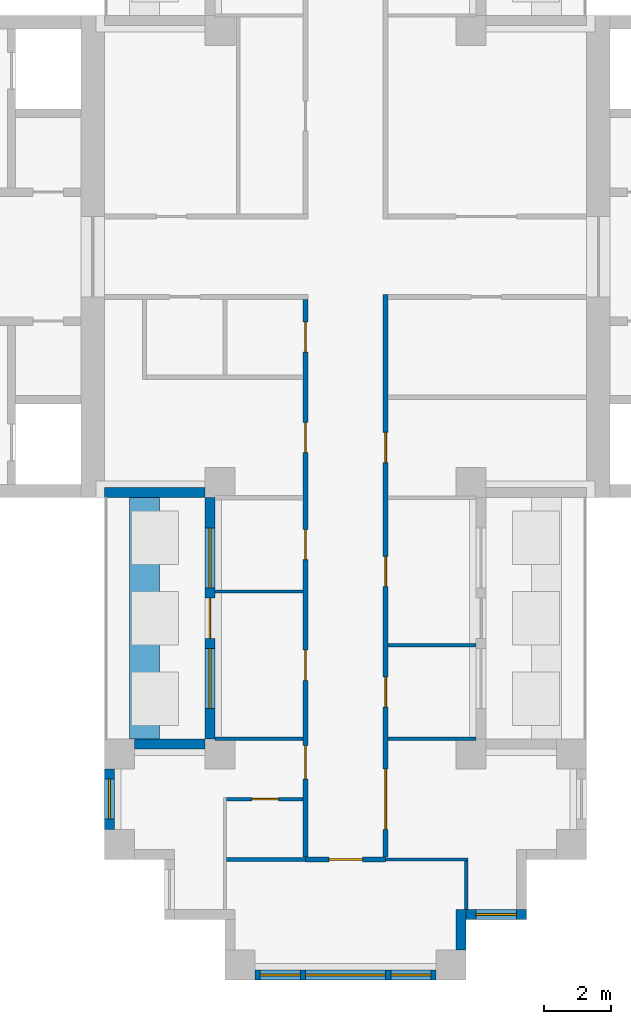
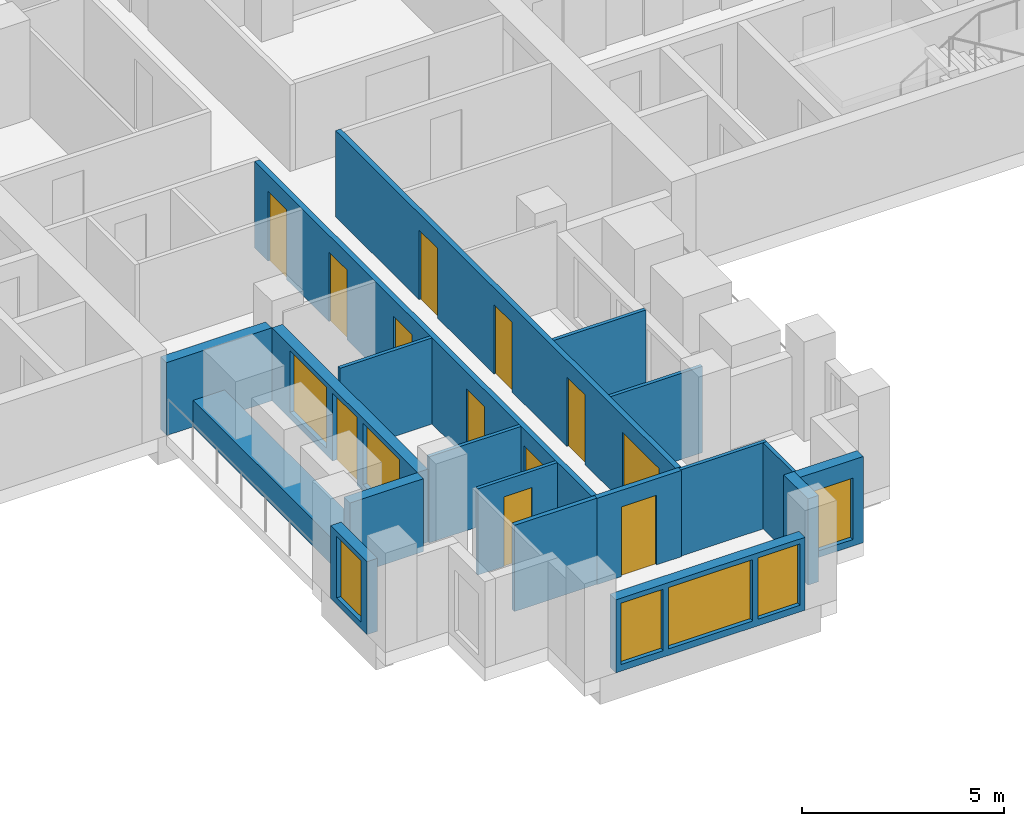
# One storey, part 4 of 11: 19 walls, 12 doors, 7 windows, 19 openings.
"""IFC4 building model written with IfcOpenShell, lengths in metres."""

import ifcopenshell
import ifcopenshell.guid

model = None  # the IFC model being written
_history = None  # IfcOwnerHistory: only IFC2X3 demands one
_inside = {}  # id of a spatial element -> (the spatial element, [elements in it])
_under = {}  # id of a project, library or spatial element -> (it, [spatial elements below it])
_declared = {}  # id of a project -> (the project, [libraries it declares])
_typed = {}  # id of a type object -> (the type object, [elements of that type])
_made_of = {}  # id of a material, layer set ... -> (it, [elements and type objects made of it])


def new_model(schema):
    """Start an empty IFC model of exactly this schema.

    Asked for "IFC4X3", IfcOpenShell would pick the latest addendum, in which some entities
    have other attributes; the version numbers below select the first issue.
    IFC2X3 requires an IfcOwnerHistory on every rooted entity: one is made here for all.
    """
    global model, _history
    if schema == "IFC4X3":
        model = ifcopenshell.file(schema_version=(4, 3, 0, 0))
    else:
        model = ifcopenshell.file(schema=schema)
    _inside.clear()
    _under.clear()
    _declared.clear()
    _typed.clear()
    _made_of.clear()
    _history = None
    if model.schema == "IFC2X3":
        org = make("IfcOrganization", Name="unknown")
        user = make(
            "IfcPersonAndOrganization",
            ThePerson=make("IfcPerson", FamilyName="unknown"),
            TheOrganization=org,
        )
        app = make(
            "IfcApplication",
            ApplicationDeveloper=org,
            Version="unknown",
            ApplicationFullName="unknown",
            ApplicationIdentifier="unknown",
        )
        _history = make(
            "IfcOwnerHistory",
            OwningUser=user,
            OwningApplication=app,
            ChangeAction="ADDED",
            CreationDate=0,
        )
    return model


def make(cls, **values):
    """One entity of the class cls with the attributes given. An attribute that is None is left unset."""
    return model.create_entity(
        cls, **{name: value for name, value in values.items() if value is not None}
    )


def rooted(cls, **values):
    """An entity with a GlobalId (a new one), such as an element, a storey or a relation."""
    return make(cls, GlobalId=ifcopenshell.guid.new(), OwnerHistory=_history, **values)


def si_unit(unit_type, name, prefix=None):
    """IfcSIUnit, for example si_unit("LENGTHUNIT", "METRE", prefix="MILLI")."""
    return make("IfcSIUnit", UnitType=unit_type, Prefix=prefix, Name=name)


def assignment(units):
    """IfcUnitAssignment: the units of a project."""
    return None if units is None else make("IfcUnitAssignment", Units=units)


def point(xyz):
    """IfcCartesianPoint."""
    return None if xyz is None else make("IfcCartesianPoint", Coordinates=xyz)


def direction(xyz):
    """IfcDirection."""
    return None if xyz is None else make("IfcDirection", DirectionRatios=xyz)


def frame(location, z_axis=None, x_axis=None):
    """IfcAxis2Placement3D, a coordinate frame: its origin and axes. An axis left out is left unset."""
    return make(
        "IfcAxis2Placement3D",
        Location=point(location),
        Axis=direction(z_axis),
        RefDirection=direction(x_axis),
    )


def frame_2d(location, x_axis=None):
    """IfcAxis2Placement2D, a coordinate frame in the plane: its origin and x axis."""
    return make(
        "IfcAxis2Placement2D", Location=point(location), RefDirection=direction(x_axis)
    )


def origin():
    """The frame at (0, 0, 0) with its axes left unset."""
    return frame((0.0, 0.0, 0.0))


def place(relative_to, where):
    """IfcLocalPlacement: puts the frame where relative to a parent placement (None: the world)."""
    return make(
        "IfcLocalPlacement", PlacementRelTo=relative_to, RelativePlacement=where
    )


def context(
    kind, dimensions, precision=None, world=None, true_north=None, identifier=None
):
    """IfcGeometricRepresentationContext, for example the 3D "Model" context."""
    return make(
        "IfcGeometricRepresentationContext",
        ContextIdentifier=identifier,
        ContextType=kind,
        CoordinateSpaceDimension=dimensions,
        Precision=precision,
        WorldCoordinateSystem=world,
        TrueNorth=true_north,
    )


def subcontext(parent, identifier, kind, view, scale=None):
    """IfcGeometricRepresentationSubContext, for example "Body" below "Model"."""
    return make(
        "IfcGeometricRepresentationSubContext",
        ContextIdentifier=identifier,
        ContextType=kind,
        ParentContext=parent,
        TargetScale=scale,
        TargetView=view,
    )


def project(units=None, contexts=None):
    """IfcProject with its units and contexts."""
    return rooted(
        "IfcProject",
        Name="project",
        RepresentationContexts=contexts,
        UnitsInContext=assignment(units),
    )


def spatial(cls, under=None, at=None, **own):
    """A site, building, storey or space (cls), placed at a placement, below another one or the project."""
    s = rooted(cls, ObjectPlacement=at, **own)
    if under is not None:
        _under.setdefault(under.id(), (under, []))[1].append(s)
    return s


def profile(cls, at=None, kind="AREA", **sizes):
    """A parametric profile (cls). Its sizes go by their IFC names, for example OverallWidth=200.0."""
    return make(cls, ProfileType=kind, Position=at, **sizes)


def rectangle(**sizes):
    """IfcRectangleProfileDef."""
    return profile("IfcRectangleProfileDef", **sizes)


def extrude(swept, where, along, depth):
    """IfcExtrudedAreaSolid: the profile swept, set in the frame where, extruded along a direction by depth."""
    return make(
        "IfcExtrudedAreaSolid",
        SweptArea=swept,
        Position=where,
        ExtrudedDirection=direction(along),
        Depth=depth,
    )


def shape(context_of_items, identifier, shape_type, items):
    """IfcShapeRepresentation: the items that make up one representation, for example the "Body"."""
    return make(
        "IfcShapeRepresentation",
        ContextOfItems=context_of_items,
        RepresentationIdentifier=identifier,
        RepresentationType=shape_type,
        Items=items,
    )


def material(Name=None, Category=None):
    """IfcMaterial."""
    return make("IfcMaterial", Name=Name, Category=Category)


def layer(
    of_material, thickness, ventilated=None, Name=None, Category=None, Priority=None
):
    """IfcMaterialLayer: one layer of a wall or slab, of a material (None: an air gap)."""
    return make(
        "IfcMaterialLayer",
        Material=of_material,
        LayerThickness=thickness,
        IsVentilated=ventilated,
        Name=Name,
        Category=Category,
        Priority=Priority,
    )


def layer_set(layers, Name=None):
    """IfcMaterialLayerSet."""
    return make("IfcMaterialLayerSet", MaterialLayers=layers, LayerSetName=Name)


def made_of(thing, what):
    """Note that an element or type object is made of a material, layer set ...; save() writes the relation."""
    if what is not None:
        _made_of.setdefault(what.id(), (what, []))[1].append(thing)
    return thing


def type_object(cls, material=None, **own):
    """A type object (cls), such as IfcWallType, which elements share."""
    return made_of(rooted(cls, **own), material)


def element(
    cls,
    number,
    at=None,
    inside=None,
    cuts=None,
    type_object=None,
    material=None,
    context=None,
    identifier="Body",
    shape_type=None,
    held_by="IfcProductDefinitionShape",
    body=None,
    shapes=None,
    **own,
):
    """One element of the class cls, such as IfcWall. Its Tag is "e" and its number.

    at: its placement. inside: the storey or other place that contains it. cuts: it is an
    opening in that element (IfcRelVoidsElement). A single representation is given by context,
    identifier, shape_type and body (its items); several are given by shapes. held_by: the class
    of the entity that holds the representations. save() writes the other relations.
    """
    e = rooted(cls, Tag="e%d" % number, ObjectPlacement=at, **own)
    if body is not None:
        shapes = [shape(context, identifier, shape_type, body)]
    if shapes is not None:
        e.Representation = make(held_by, Representations=shapes)
    if inside is not None:
        _inside.setdefault(inside.id(), (inside, []))[1].append(e)
    if cuts is not None:
        rooted(
            "IfcRelVoidsElement", RelatingBuildingElement=cuts, RelatedOpeningElement=e
        )
    if type_object is not None:
        _typed.setdefault(type_object.id(), (type_object, []))[1].append(e)
    return made_of(e, material)


def fill(opening, filler):
    """IfcRelFillsElement: the door or window that sits in an opening."""
    return rooted(
        "IfcRelFillsElement",
        RelatingOpeningElement=opening,
        RelatedBuildingElement=filler,
    )


def aggregate(whole, parts):
    """IfcRelAggregates: a whole, such as a stair, and the parts it consists of."""
    return rooted("IfcRelAggregates", RelatingObject=whole, RelatedObjects=parts)


def save(model, path):
    """Write the relations noted so far, then the file.

    IfcRelAggregates (storeys below a building ...), IfcRelContainedInSpatialStructure (elements
    in a storey), IfcRelDefinesByType, IfcRelAssociatesMaterial and IfcRelDeclares: one each for
    every whole, place, type object, material and project.
    """
    for whole, parts in _under.values():
        aggregate(whole, parts)
    for where, things in _inside.values():
        rooted(
            "IfcRelContainedInSpatialStructure",
            RelatedElements=things,
            RelatingStructure=where,
        )
    for kind, things in _typed.values():
        rooted("IfcRelDefinesByType", RelatedObjects=things, RelatingType=kind)
    for what, things in _made_of.values():
        rooted("IfcRelAssociatesMaterial", RelatedObjects=things, RelatingMaterial=what)
    for by, libraries in _declared.values():
        rooted("IfcRelDeclares", RelatingContext=by, RelatedDefinitions=libraries)
    model.write(path)


model = new_model("IFC4")

# Units and contexts
model_context = context("Model", 3, precision=1e-05, world=origin(), true_north=direction((0.0, 1.0)))
body_context = subcontext(model_context, "Body", "Model", "MODEL_VIEW")
ifc_project = project(units=[si_unit("LENGTHUNIT", "METRE"), si_unit("AREAUNIT", "SQUARE_METRE"), si_unit("VOLUMEUNIT", "CUBIC_METRE"), si_unit("PLANEANGLEUNIT", "RADIAN"), si_unit("MASSUNIT", "GRAM", prefix="KILO")], contexts=[model_context])

# Site, building, storey
site_placement = place(None, origin())
site = spatial("IfcSite", under=ifc_project, at=site_placement, CompositionType="ELEMENT")
building_placement = place(site_placement, origin())
building = spatial("IfcBuilding", under=site, at=building_placement, Name="Fustian Cross Tower", CompositionType="ELEMENT")
storey_placement = place(building_placement, frame((0.0, 0.0, 173.699951171875)))
storey = spatial("IfcBuildingStorey", under=building, at=storey_placement, Name="L54", CompositionType="ELEMENT", Elevation=173.699951171875)

# Wall, openings, doors
ifc_material_1 = material(Name="Plasterboard on steel stud", Category="steel")
ifc_layer_1 = layer(ifc_material_1, 0.14990234375)
ifc_layer_set_1 = layer_set([ifc_layer_1], Name="Plasterboard on steel stud")
wall_type_1 = type_object("IfcWallType", Name="COMPARTMENT WALL 150 EI 60", PredefinedType="PARTITIONING", material=ifc_layer_set_1)
wall_1_placement = place(storey_placement, frame((-1.199951171875, -17.925048828125, 0.0), z_axis=(0.0, 0.0, 1.0), x_axis=(0.0, 1.0, 0.0)))
wall_1 = element("IfcWall", 1, at=wall_1_placement, inside=storey, type_object=wall_type_1, Name="Partition 30", PredefinedType="PARTITIONING", context=body_context, shape_type="SweptSolid", body=[
    extrude(rectangle(XDim=16.650146484375, YDim=0.14990234375, at=frame_2d((8.3251953125, 0.0))), origin(), (0.0, 0.0, 1.0), 2.60009765625),
])
opening_1_placement = place(wall_1_placement, frame((15.074951171875, 0.0, 0.0)))
opening_1 = element("IfcOpeningElement", 2, at=opening_1_placement, cuts=wall_1, Name="Opening D25006", PredefinedType="OPENING", context=body_context, shape_type="SweptSolid", body=[
    extrude(rectangle(XDim=0.89990234375, YDim=2.10009765625, at=frame_2d((0.449951171875, 1.050048828125))), frame((0.0, 0.0849609375, 0.0), z_axis=(0.0, -1.0, 0.0), x_axis=(1.0, 0.0, 0.0)), (0.0, 0.0, 1.0), 0.169921875),
])
opening_2_placement = place(wall_1_placement, frame((12.074951171875, 0.0, 0.0)))
opening_2 = element("IfcOpeningElement", 3, at=opening_2_placement, cuts=wall_1, Name="Opening D25008", PredefinedType="OPENING", context=body_context, shape_type="SweptSolid", body=[
    extrude(rectangle(XDim=0.89990234375, YDim=2.10009765625, at=frame_2d((0.449951171875, 1.050048828125))), frame((0.0, 0.0849609375, 0.0), z_axis=(0.0, -1.0, 0.0), x_axis=(1.0, 0.0, 0.0)), (0.0, 0.0, 1.0), 0.169921875),
])
opening_3_placement = place(wall_1_placement, frame((8.875, 0.0, 0.0)))
opening_3 = element("IfcOpeningElement", 4, at=opening_3_placement, cuts=wall_1, Name="Opening D25035", PredefinedType="OPENING", context=body_context, shape_type="SweptSolid", body=[
    extrude(rectangle(XDim=0.89990234375, YDim=2.10009765625, at=frame_2d((0.449951171875, 1.050048828125))), frame((0.0, 0.0849609375, 0.0), z_axis=(0.0, -1.0, 0.0), x_axis=(1.0, 0.0, 0.0)), (0.0, 0.0, 1.0), 0.169921875),
])
opening_4_placement = place(wall_1_placement, frame((5.27490234375, 0.0, 0.0)))
opening_4 = element("IfcOpeningElement", 5, at=opening_4_placement, cuts=wall_1, Name="Opening D25036", PredefinedType="OPENING", context=body_context, shape_type="SweptSolid", body=[
    extrude(rectangle(XDim=0.89990234375, YDim=2.10009765625, at=frame_2d((0.449951171875, 1.050048828125))), frame((0.0, 0.0849609375, 0.0), z_axis=(0.0, -1.0, 0.0), x_axis=(1.0, 0.0, 0.0)), (0.0, 0.0, 1.0), 0.169921875),
])
opening_5_placement = place(wall_1_placement, frame((2.324951171875, 0.0, 0.0)))
opening_5 = element("IfcOpeningElement", 6, at=opening_5_placement, cuts=wall_1, Name="Opening D25038", PredefinedType="OPENING", context=body_context, shape_type="SweptSolid", body=[
    extrude(rectangle(XDim=1.0, YDim=2.10009765625, at=frame_2d((0.5, 1.050048828125))), frame((0.0, 0.0849609375, 0.0), z_axis=(0.0, -1.0, 0.0), x_axis=(1.0, 0.0, 0.0)), (0.0, 0.0, 1.0), 0.169921875),
])
ifc_material_2 = material(Name="Timber fire door set", Category="wood")
door_type_1 = type_object("IfcDoorType", Name="FIRE SWING DOOR 1000 FD30S", OperationType="SINGLE_SWING_LEFT", PredefinedType="DOOR", material=ifc_material_2)
door_1_placement = place(opening_5_placement, origin())
door_1 = element("IfcDoor", 7, at=door_1_placement, inside=storey, type_object=door_type_1, Name="Door D25038", OperationType="SINGLE_SWING_RIGHT", OverallHeight=2.10009765625, OverallWidth=1.0, PredefinedType="DOOR", context=body_context, shape_type="SweptSolid", body=[
    extrude(rectangle(XDim=1.0, YDim=2.10009765625, at=frame_2d((0.5, 1.050048828125))), frame((0.0, 0.02490234375, 0.0), z_axis=(0.0, -1.0, 0.0), x_axis=(1.0, 0.0, 0.0)), (0.0, 0.0, 1.0), 0.050048828125),
])
fill(opening_5, door_1)
ifc_material_3 = material(Name="Timber fire door set", Category="wood")
door_type_2 = type_object("IfcDoorType", Name="FIRE SWING DOOR 900 FD30S", OperationType="SINGLE_SWING_LEFT", PredefinedType="DOOR", material=ifc_material_3)
door_2_placement = place(opening_1_placement, origin())
door_2 = element("IfcDoor", 8, at=door_2_placement, inside=storey, type_object=door_type_2, Name="Door D25006", OperationType="SINGLE_SWING_LEFT", OverallHeight=2.10009765625, OverallWidth=0.89990234375, PredefinedType="DOOR", context=body_context, shape_type="SweptSolid", body=[
    extrude(rectangle(XDim=0.89990234375, YDim=2.10009765625, at=frame_2d((0.449951171875, 1.050048828125))), frame((0.0, 0.02490234375, 0.0), z_axis=(0.0, -1.0, 0.0), x_axis=(1.0, 0.0, 0.0)), (0.0, 0.0, 1.0), 0.050048828125),
])
fill(opening_1, door_2)
door_3_placement = place(opening_2_placement, origin())
door_3 = element("IfcDoor", 9, at=door_3_placement, inside=storey, type_object=door_type_2, Name="Door D25008", OperationType="SINGLE_SWING_LEFT", OverallHeight=2.10009765625, OverallWidth=0.89990234375, PredefinedType="DOOR", context=body_context, shape_type="SweptSolid", body=[
    extrude(rectangle(XDim=0.89990234375, YDim=2.10009765625, at=frame_2d((0.449951171875, 1.050048828125))), frame((0.0, 0.02490234375, 0.0), z_axis=(0.0, -1.0, 0.0), x_axis=(1.0, 0.0, 0.0)), (0.0, 0.0, 1.0), 0.050048828125),
])
fill(opening_2, door_3)
door_4_placement = place(opening_3_placement, origin())
door_4 = element("IfcDoor", 10, at=door_4_placement, inside=storey, type_object=door_type_2, Name="Door D25035", OperationType="SINGLE_SWING_LEFT", OverallHeight=2.10009765625, OverallWidth=0.89990234375, PredefinedType="DOOR", context=body_context, shape_type="SweptSolid", body=[
    extrude(rectangle(XDim=0.89990234375, YDim=2.10009765625, at=frame_2d((0.449951171875, 1.050048828125))), frame((0.0, 0.02490234375, 0.0), z_axis=(0.0, -1.0, 0.0), x_axis=(1.0, 0.0, 0.0)), (0.0, 0.0, 1.0), 0.050048828125),
])
fill(opening_3, door_4)
door_5_placement = place(opening_4_placement, origin())
door_5 = element("IfcDoor", 11, at=door_5_placement, inside=storey, type_object=door_type_2, Name="Door D25036", OperationType="SINGLE_SWING_LEFT", OverallHeight=2.10009765625, OverallWidth=0.89990234375, PredefinedType="DOOR", context=body_context, shape_type="SweptSolid", body=[
    extrude(rectangle(XDim=0.89990234375, YDim=2.10009765625, at=frame_2d((0.449951171875, 1.050048828125))), frame((0.0, 0.02490234375, 0.0), z_axis=(0.0, -1.0, 0.0), x_axis=(1.0, 0.0, 0.0)), (0.0, 0.0, 1.0), 0.050048828125),
])
fill(opening_4, door_5)

# Wall, opening, door
wall_2_placement = place(storey_placement, frame((-1.199951171875, -18.0, 0.0), z_axis=(0.0, 0.0, 1.0), x_axis=(1.0, 0.0, 0.0)))
wall_2 = element("IfcWall", 12, at=wall_2_placement, inside=storey, type_object=wall_type_1, Name="Partition 31", PredefinedType="PARTITIONING", context=body_context, shape_type="SweptSolid", body=[
    extrude(rectangle(XDim=2.39990234375, YDim=0.14990234375, at=frame_2d((1.199951171875, 0.0))), origin(), (0.0, 0.0, 1.0), 2.60009765625),
])
opening_6_placement = place(wall_2_placement, frame((0.699951171875, 0.0, 0.0)))
opening_6 = element("IfcOpeningElement", 13, at=opening_6_placement, cuts=wall_2, Name="Opening D25031", PredefinedType="OPENING", context=body_context, shape_type="SweptSolid", body=[
    extrude(rectangle(XDim=1.0, YDim=2.10009765625, at=frame_2d((0.5, 1.050048828125))), frame((0.0, 0.0849609375, 0.0), z_axis=(0.0, -1.0, 0.0), x_axis=(1.0, 0.0, 0.0)), (0.0, 0.0, 1.0), 0.169921875),
])
door_6_placement = place(opening_6_placement, frame((1.0, 0.0, 0.0), z_axis=(0.0, 0.0, 1.0), x_axis=(-1.0, 0.0, 0.0)))
door_6 = element("IfcDoor", 14, at=door_6_placement, inside=storey, type_object=door_type_1, Name="Door D25031", OperationType="SINGLE_SWING_RIGHT", OverallHeight=2.10009765625, OverallWidth=1.0, PredefinedType="DOOR", context=body_context, shape_type="SweptSolid", body=[
    extrude(rectangle(XDim=1.0, YDim=2.10009765625, at=frame_2d((0.5, 1.050048828125))), frame((0.0, 0.02490234375, 0.0), z_axis=(0.0, -1.0, 0.0), x_axis=(1.0, 0.0, 0.0)), (0.0, 0.0, 1.0), 0.050048828125),
])
fill(opening_6, door_6)

# Wall, openings, doors
wall_3_placement = place(storey_placement, frame((1.199951171875, -17.925048828125, 0.0), z_axis=(0.0, 0.0, 1.0), x_axis=(0.0, 1.0, 0.0)))
wall_3 = element("IfcWall", 15, at=wall_3_placement, inside=storey, type_object=wall_type_1, Name="Partition 34", PredefinedType="PARTITIONING", context=body_context, shape_type="SweptSolid", body=[
    extrude(rectangle(XDim=16.800048828125, YDim=0.14990234375, at=frame_2d((8.39990234375, 0.0))), origin(), (0.0, 0.0, 1.0), 2.60009765625),
])
opening_7_placement = place(wall_3_placement, frame((11.77490234375, 0.0, 0.0)))
opening_7 = element("IfcOpeningElement", 16, at=opening_7_placement, cuts=wall_3, Name="Opening D25005", PredefinedType="OPENING", context=body_context, shape_type="SweptSolid", body=[
    extrude(rectangle(XDim=0.89990234375, YDim=2.10009765625, at=frame_2d((0.449951171875, 1.050048828125))), frame((0.0, 0.0849609375, 0.0), z_axis=(0.0, -1.0, 0.0), x_axis=(1.0, 0.0, 0.0)), (0.0, 0.0, 1.0), 0.169921875),
])
opening_8_placement = place(wall_3_placement, frame((4.47509765625, 0.0, 0.0)))
opening_8 = element("IfcOpeningElement", 17, at=opening_8_placement, cuts=wall_3, Name="Opening D25032", PredefinedType="OPENING", context=body_context, shape_type="SweptSolid", body=[
    extrude(rectangle(XDim=0.89990234375, YDim=2.10009765625, at=frame_2d((0.449951171875, 1.050048828125))), frame((0.0, 0.0849609375, 0.0), z_axis=(0.0, -1.0, 0.0), x_axis=(1.0, 0.0, 0.0)), (0.0, 0.0, 1.0), 0.169921875),
])
opening_9_placement = place(wall_3_placement, frame((8.074951171875, 0.0, 0.0)))
opening_9 = element("IfcOpeningElement", 18, at=opening_9_placement, cuts=wall_3, Name="Opening D25033", PredefinedType="OPENING", context=body_context, shape_type="SweptSolid", body=[
    extrude(rectangle(XDim=0.89990234375, YDim=2.10009765625, at=frame_2d((0.449951171875, 1.050048828125))), frame((0.0, 0.0849609375, 0.0), z_axis=(0.0, -1.0, 0.0), x_axis=(1.0, 0.0, 0.0)), (0.0, 0.0, 1.0), 0.169921875),
])
opening_10_placement = place(wall_3_placement, frame((0.824951171875, 0.0, 0.0)))
opening_10 = element("IfcOpeningElement", 19, at=opening_10_placement, cuts=wall_3, Name="Opening D25034", PredefinedType="OPENING", context=body_context, shape_type="SweptSolid", body=[
    extrude(rectangle(XDim=1.800048828125, YDim=2.10009765625, at=frame_2d((0.89990234375, 1.050048828125))), frame((0.0, 0.0849609375, 0.0), z_axis=(0.0, -1.0, 0.0), x_axis=(1.0, 0.0, 0.0)), (0.0, 0.0, 1.0), 0.169921875),
])
ifc_material_4 = material(Name="Timber fire door set", Category="wood")
door_type_3 = type_object("IfcDoorType", Name="FIRE DOUBLE DOOR 1800 FD30S", OperationType="DOUBLE_DOOR_DOUBLE_SWING", PredefinedType="DOOR", material=ifc_material_4)
door_7_placement = place(opening_10_placement, origin())
door_7 = element("IfcDoor", 20, at=door_7_placement, inside=storey, type_object=door_type_3, Name="Door D25034", OperationType="DOUBLE_DOOR_DOUBLE_SWING", OverallHeight=2.10009765625, OverallWidth=1.800048828125, PredefinedType="DOOR", context=body_context, shape_type="SweptSolid", body=[
    extrude(rectangle(XDim=1.800048828125, YDim=2.10009765625, at=frame_2d((0.89990234375, 1.050048828125))), frame((0.0, 0.02490234375, 0.0), z_axis=(0.0, -1.0, 0.0), x_axis=(1.0, 0.0, 0.0)), (0.0, 0.0, 1.0), 0.050048828125),
])
fill(opening_10, door_7)
door_8_placement = place(opening_7_placement, frame((0.89990234375, 0.0, 0.0), z_axis=(0.0, 0.0, 1.0), x_axis=(-1.0, 0.0, 0.0)))
door_8 = element("IfcDoor", 21, at=door_8_placement, inside=storey, type_object=door_type_2, Name="Door D25005", OperationType="SINGLE_SWING_LEFT", OverallHeight=2.10009765625, OverallWidth=0.89990234375, PredefinedType="DOOR", context=body_context, shape_type="SweptSolid", body=[
    extrude(rectangle(XDim=0.89990234375, YDim=2.10009765625, at=frame_2d((0.449951171875, 1.050048828125))), frame((0.0, 0.02490234375, 0.0), z_axis=(0.0, -1.0, 0.0), x_axis=(1.0, 0.0, 0.0)), (0.0, 0.0, 1.0), 0.050048828125),
])
fill(opening_7, door_8)
door_9_placement = place(opening_8_placement, frame((0.89990234375, 0.0, 0.0), z_axis=(0.0, 0.0, 1.0), x_axis=(-1.0, 0.0, 0.0)))
door_9 = element("IfcDoor", 22, at=door_9_placement, inside=storey, type_object=door_type_2, Name="Door D25032", OperationType="SINGLE_SWING_RIGHT", OverallHeight=2.10009765625, OverallWidth=0.89990234375, PredefinedType="DOOR", context=body_context, shape_type="SweptSolid", body=[
    extrude(rectangle(XDim=0.89990234375, YDim=2.10009765625, at=frame_2d((0.449951171875, 1.050048828125))), frame((0.0, 0.02490234375, 0.0), z_axis=(0.0, -1.0, 0.0), x_axis=(1.0, 0.0, 0.0)), (0.0, 0.0, 1.0), 0.050048828125),
])
fill(opening_8, door_9)
door_10_placement = place(opening_9_placement, frame((0.89990234375, 0.0, 0.0), z_axis=(0.0, 0.0, 1.0), x_axis=(-1.0, 0.0, 0.0)))
door_10 = element("IfcDoor", 23, at=door_10_placement, inside=storey, type_object=door_type_2, Name="Door D25033", OperationType="SINGLE_SWING_RIGHT", OverallHeight=2.10009765625, OverallWidth=0.89990234375, PredefinedType="DOOR", context=body_context, shape_type="SweptSolid", body=[
    extrude(rectangle(XDim=0.89990234375, YDim=2.10009765625, at=frame_2d((0.449951171875, 1.050048828125))), frame((0.0, 0.02490234375, 0.0), z_axis=(0.0, -1.0, 0.0), x_axis=(1.0, 0.0, 0.0)), (0.0, 0.0, 1.0), 0.050048828125),
])
fill(opening_9, door_10)

# Walls
ifc_material_5 = material(Name="Plasterboard on steel stud", Category="steel")
ifc_layer_2 = layer(ifc_material_5, 0.10009765625)
ifc_layer_set_2 = layer_set([ifc_layer_2], Name="Plasterboard on steel stud")
wall_type_2 = type_object("IfcWallType", Name="PARTITION 100 STUD", PredefinedType="PARTITIONING", material=ifc_layer_set_2)
for number, where, z_axis, x_axis, name in (
    (24, (-3.89990234375, -14.39990234375, 0.0), (0.0, 0.0, 1.0), (1.0, 0.0, 0.0), "Partition 17"),
    (25, (-3.89990234375, -10.0, 0.0), (0.0, 0.0, 1.0), (1.0, 0.0, 0.0), "Partition 18"),
):
    element("IfcWall", number, at=place(storey_placement, frame(where, z_axis=z_axis, x_axis=x_axis)), inside=storey, type_object=wall_type_2, Name=name, PredefinedType="PARTITIONING", context=body_context, shape_type="SweptSolid", body=[
        extrude(rectangle(XDim=2.625, YDim=0.10009765625, at=frame_2d((1.3125, 0.0))), origin(), (0.0, 0.0, 1.0), 2.60009765625),
    ])

# Wall, opening, door
wall_4_placement = place(storey_placement, frame((-3.550048828125, -16.199951171875, 0.0), z_axis=(0.0, 0.0, 1.0), x_axis=(1.0, 0.0, 0.0)))
wall_4 = element("IfcWall", 26, at=wall_4_placement, inside=storey, type_object=wall_type_2, Name="Partition 24", PredefinedType="PARTITIONING", context=body_context, shape_type="SweptSolid", body=[
    extrude(rectangle(XDim=2.275146484375, YDim=0.10009765625, at=frame_2d((1.1376953125, 0.0))), origin(), (0.0, 0.0, 1.0), 2.60009765625),
])
opening_11_placement = place(wall_4_placement, frame((0.75, 0.0, 0.0)))
opening_11 = element("IfcOpeningElement", 27, at=opening_11_placement, cuts=wall_4, Name="Opening D25037", PredefinedType="OPENING", context=body_context, shape_type="SweptSolid", body=[
    extrude(rectangle(XDim=0.800048828125, YDim=2.10009765625, at=frame_2d((0.39990234375, 1.050048828125))), frame((0.0, 0.06005859375, 0.0), z_axis=(0.0, -1.0, 0.0), x_axis=(1.0, 0.0, 0.0)), (0.0, 0.0, 1.0), 0.1201171875),
])
ifc_material_6 = material(Name="Painted timber", Category="wood")
door_type_4 = type_object("IfcDoorType", Name="SWING DOOR 800", OperationType="SINGLE_SWING_LEFT", PredefinedType="DOOR", material=ifc_material_6)
door_11_placement = place(opening_11_placement, frame((0.800048828125, 0.0, 0.0), z_axis=(0.0, 0.0, 1.0), x_axis=(-1.0, 0.0, 0.0)))
door_11 = element("IfcDoor", 28, at=door_11_placement, inside=storey, type_object=door_type_4, Name="Door D25037", OperationType="SINGLE_SWING_RIGHT", OverallHeight=2.10009765625, OverallWidth=0.800048828125, PredefinedType="DOOR", context=body_context, shape_type="SweptSolid", body=[
    extrude(rectangle(XDim=0.800048828125, YDim=2.10009765625, at=frame_2d((0.39990234375, 1.050048828125))), frame((0.0, 0.02490234375, 0.0), z_axis=(0.0, -1.0, 0.0), x_axis=(1.0, 0.0, 0.0)), (0.0, 0.0, 1.0), 0.050048828125),
])
fill(opening_11, door_11)

# Walls
wall_5_placement = place(storey_placement, frame((1.199951171875, -18.0, 0.0), z_axis=(0.0, 0.0, 1.0), x_axis=(1.0, 0.0, 0.0)))
element("IfcWall", 29, at=wall_5_placement, inside=storey, type_object=wall_type_2, Name="Partition 35", PredefinedType="PARTITIONING", context=body_context, shape_type="SweptSolid", body=[
    extrude(rectangle(XDim=2.449951171875, YDim=0.10009765625, at=frame_2d((1.22509765625, 0.0))), origin(), (0.0, 0.0, 1.0), 2.60009765625),
])
for number, where, z_axis, x_axis, name in (
    (30, (1.27490234375, -14.39990234375, 0.0), (0.0, 0.0, 1.0), (1.0, 0.0, 0.0), "Partition 36"),
    (31, (1.27490234375, -11.60009765625, 0.0), (0.0, 0.0, 1.0), (1.0, 0.0, 0.0), "Partition 37"),
):
    element("IfcWall", number, at=place(storey_placement, frame(where, z_axis=z_axis, x_axis=x_axis)), inside=storey, type_object=wall_type_2, Name=name, PredefinedType="PARTITIONING", context=body_context, shape_type="SweptSolid", body=[
        extrude(rectangle(XDim=2.625, YDim=0.10009765625, at=frame_2d((1.3125, 0.0))), origin(), (0.0, 0.0, 1.0), 2.60009765625),
    ])
wall_6_placement = place(storey_placement, frame((3.60009765625, -19.5, 0.0), z_axis=(0.0, 0.0, 1.0), x_axis=(0.0, 1.0, 0.0)))
element("IfcWall", 32, at=wall_6_placement, inside=storey, type_object=wall_type_2, Name="Partition 48", PredefinedType="PARTITIONING", context=body_context, shape_type="SweptSolid", body=[
    extrude(rectangle(XDim=1.449951171875, YDim=0.10009765625, at=frame_2d((0.72509765625, 0.0))), origin(), (0.0, 0.0, 1.0), 2.60009765625),
])
ifc_material_7 = material(Name="Concrete C40/50", Category="concrete")
ifc_layer_3 = layer(ifc_material_7, 0.89990234375)
ifc_layer_set_3 = layer_set([ifc_layer_3], Name="Concrete C40/50")
wall_type_3 = type_object("IfcWallType", Name="PK1 PLANTER 900", PredefinedType="PARAPET", material=ifc_layer_set_3)
wall_7_placement = place(storey_placement, frame((-6.0, -14.39990234375, 0.0), z_axis=(0.0, 0.0, 1.0), x_axis=(0.0, 1.0, 0.0)))
element("IfcWall", 33, at=wall_7_placement, inside=storey, type_object=wall_type_3, Name="PLANTER", PredefinedType="PARAPET", context=body_context, shape_type="SweptSolid", body=[
    extrude(rectangle(XDim=7.199951171875, YDim=0.89990234375, at=frame_2d((3.60009765625, 0.0))), origin(), (0.0, 0.0, 1.0), 0.800048828125),
])
ifc_material_8 = material(Name="Plasterboard on steel stud", Category="steel")
ifc_layer_4 = layer(ifc_material_8, 0.125)
ifc_layer_set_4 = layer_set([ifc_layer_4], Name="Plasterboard on steel stud")
wall_type_4 = type_object("IfcWallType", Name="WET WALL 125 STUD", PredefinedType="PARTITIONING", material=ifc_layer_set_4)
wall_8_placement = place(storey_placement, frame((-3.550048828125, -18.0, 0.0), z_axis=(0.0, 0.0, 1.0), x_axis=(1.0, 0.0, 0.0)))
element("IfcWall", 34, at=wall_8_placement, inside=storey, type_object=wall_type_4, Name="Partition 23", PredefinedType="PARTITIONING", context=body_context, shape_type="SweptSolid", body=[
    extrude(rectangle(XDim=2.35009765625, YDim=0.125, at=frame_2d((1.175048828125, 0.0))), origin(), (0.0, 0.0, 1.0), 2.60009765625),
])
ifc_material_9 = material(Name="Dark aluminium cladding on insulated backing wall", Category="aluminium")
ifc_layer_5 = layer(ifc_material_9, 0.300048828125)
ifc_layer_set_5 = layer_set([ifc_layer_5], Name="Dark aluminium cladding on insulated backing wall")
wall_type_5 = type_object("IfcWallType", Name="XW1 EXTERNAL WALL 300", PredefinedType="SOLIDWALL", material=ifc_layer_set_5)
wall_9_placement = place(storey_placement, frame((-7.199951171875, -7.050048828125, 0.0), z_axis=(0.0, 0.0, 1.0), x_axis=(1.0, 0.0, 0.0)))
element("IfcWall", 35, at=wall_9_placement, inside=storey, type_object=wall_type_5, Name="External wall", PredefinedType="SOLIDWALL", context=body_context, shape_type="SweptSolid", body=[
    extrude(rectangle(XDim=3.0, YDim=0.300048828125, at=frame_2d((1.5, 0.0))), origin(), (0.0, 0.0, 1.0), 2.199951171875),
])

# Wall, openings, door, windows
wall_10_placement = place(storey_placement, frame((-4.050048828125, -7.199951171875, 0.0), z_axis=(0.0, 0.0, 1.0), x_axis=(0.0, -1.0, 0.0)))
wall_10 = element("IfcWall", 36, at=wall_10_placement, inside=storey, type_object=wall_type_5, Name="External wall", PredefinedType="SOLIDWALL", context=body_context, shape_type="SweptSolid", body=[
    extrude(rectangle(XDim=7.199951171875, YDim=0.300048828125, at=frame_2d((3.60009765625, 0.0))), origin(), (0.0, 0.0, 1.0), 2.199951171875),
])
opening_12_placement = place(wall_10_placement, frame((3.0, 0.0, 0.0)))
opening_12 = element("IfcOpeningElement", 37, at=opening_12_placement, cuts=wall_10, Name="Opening XD4", PredefinedType="OPENING", context=body_context, shape_type="SweptSolid", body=[
    extrude(rectangle(XDim=1.199951171875, YDim=2.050048828125, at=frame_2d((0.60009765625, 1.02490234375))), frame((0.0, 0.159912109375, 0.0), z_axis=(0.0, -1.0, 0.0), x_axis=(1.0, 0.0, 0.0)), (0.0, 0.0, 1.0), 0.320068359375),
])
opening_13_placement = place(wall_10_placement, frame((0.89990234375, 0.0, 0.199951171875)))
opening_13 = element("IfcOpeningElement", 38, at=opening_13_placement, cuts=wall_10, Name="Opening WN2", PredefinedType="OPENING", context=body_context, shape_type="SweptSolid", body=[
    extrude(rectangle(XDim=1.800048828125, YDim=1.85009765625, at=frame_2d((0.89990234375, 0.925048828125))), frame((0.0, 0.159912109375, 0.0), z_axis=(0.0, -1.0, 0.0), x_axis=(1.0, 0.0, 0.0)), (0.0, 0.0, 1.0), 0.320068359375),
])
opening_14_placement = place(wall_10_placement, frame((4.5, 0.0, 0.199951171875)))
opening_14 = element("IfcOpeningElement", 39, at=opening_14_placement, cuts=wall_10, Name="Opening WN2", PredefinedType="OPENING", context=body_context, shape_type="SweptSolid", body=[
    extrude(rectangle(XDim=1.800048828125, YDim=1.85009765625, at=frame_2d((0.89990234375, 0.925048828125))), frame((0.0, 0.159912109375, 0.0), z_axis=(0.0, -1.0, 0.0), x_axis=(1.0, 0.0, 0.0)), (0.0, 0.0, 1.0), 0.320068359375),
])
ifc_material_10 = material(Name="Dark anodised aluminium and double glazing", Category="aluminium")
door_type_5 = type_object("IfcDoorType", Name="ED1 BALCONY DOOR 1200X2050", OperationType="SINGLE_SWING_LEFT", PredefinedType="DOOR", material=ifc_material_10)
door_12_placement = place(opening_12_placement, origin())
door_12 = element("IfcDoor", 40, at=door_12_placement, inside=storey, type_object=door_type_5, Name="Balcony door", OperationType="SINGLE_SWING_LEFT", OverallHeight=2.050048828125, OverallWidth=1.199951171875, PredefinedType="DOOR", context=body_context, shape_type="SweptSolid", body=[
    extrude(rectangle(XDim=1.199951171875, YDim=2.050048828125, at=frame_2d((0.60009765625, 1.02490234375))), frame((0.0, 0.02490234375, 0.0), z_axis=(0.0, -1.0, 0.0), x_axis=(1.0, 0.0, 0.0)), (0.0, 0.0, 1.0), 0.050048828125),
])
fill(opening_12, door_12)
ifc_material_11 = material(Name="Dark anodised aluminium and double glazing", Category="aluminium")
window_type_1 = type_object("IfcWindowType", Name="WN2 WINDOW 1800X1850", PartitioningType="SINGLE_PANEL", PredefinedType="WINDOW", material=ifc_material_11)
window_1_placement = place(opening_13_placement, origin())
window_1 = element("IfcWindow", 41, at=window_1_placement, inside=storey, type_object=window_type_1, Name="Window", OverallHeight=1.85009765625, OverallWidth=1.800048828125, PartitioningType="SINGLE_PANEL", PredefinedType="WINDOW", context=body_context, shape_type="SweptSolid", body=[
    extrude(rectangle(XDim=1.800048828125, YDim=1.85009765625, at=frame_2d((0.89990234375, 0.925048828125))), frame((0.0, 0.030029296875, 0.0), z_axis=(0.0, -1.0, 0.0), x_axis=(1.0, 0.0, 0.0)), (0.0, 0.0, 1.0), 0.06005859375),
])
fill(opening_13, window_1)
window_2_placement = place(opening_14_placement, origin())
window_2 = element("IfcWindow", 42, at=window_2_placement, inside=storey, type_object=window_type_1, Name="Window", OverallHeight=1.85009765625, OverallWidth=1.800048828125, PartitioningType="SINGLE_PANEL", PredefinedType="WINDOW", context=body_context, shape_type="SweptSolid", body=[
    extrude(rectangle(XDim=1.800048828125, YDim=1.85009765625, at=frame_2d((0.89990234375, 0.925048828125))), frame((0.0, 0.030029296875, 0.0), z_axis=(0.0, -1.0, 0.0), x_axis=(1.0, 0.0, 0.0)), (0.0, 0.0, 1.0), 0.06005859375),
])
fill(opening_14, window_2)

# Wall
wall_11_placement = place(storey_placement, frame((-4.199951171875, -14.550048828125, 0.0), z_axis=(0.0, 0.0, 1.0), x_axis=(-1.0, 0.0, 0.0)))
element("IfcWall", 43, at=wall_11_placement, inside=storey, type_object=wall_type_5, Name="External wall", PredefinedType="SOLIDWALL", context=body_context, shape_type="SweptSolid", body=[
    extrude(rectangle(XDim=2.10009765625, YDim=0.300048828125, at=frame_2d((1.050048828125, 0.0))), origin(), (0.0, 0.0, 1.0), 2.199951171875),
])

# Wall, opening, window
wall_12_placement = place(storey_placement, frame((-7.050048828125, -15.300048828125, 0.0), z_axis=(0.0, 0.0, 1.0), x_axis=(0.0, -1.0, 0.0)))
wall_12 = element("IfcWall", 44, at=wall_12_placement, inside=storey, type_object=wall_type_5, Name="External wall", PredefinedType="SOLIDWALL", context=body_context, shape_type="SweptSolid", body=[
    extrude(rectangle(XDim=1.800048828125, YDim=0.300048828125, at=frame_2d((0.89990234375, 0.0))), origin(), (0.0, 0.0, 1.0), 2.199951171875),
])
opening_15_placement = place(wall_12_placement, frame((0.300048828125, 0.0, 0.199951171875)))
opening_15 = element("IfcOpeningElement", 45, at=opening_15_placement, cuts=wall_12, Name="Opening WN3", PredefinedType="OPENING", context=body_context, shape_type="SweptSolid", body=[
    extrude(rectangle(XDim=1.199951171875, YDim=1.85009765625, at=frame_2d((0.60009765625, 0.925048828125))), frame((0.0, 0.159912109375, 0.0), z_axis=(0.0, -1.0, 0.0), x_axis=(1.0, 0.0, 0.0)), (0.0, 0.0, 1.0), 0.320068359375),
])
ifc_material_12 = material(Name="Dark anodised aluminium and double glazing", Category="aluminium")
window_type_2 = type_object("IfcWindowType", Name="WN3 WINDOW 1200X1850", PartitioningType="SINGLE_PANEL", PredefinedType="WINDOW", material=ifc_material_12)
window_3_placement = place(opening_15_placement, origin())
window_3 = element("IfcWindow", 46, at=window_3_placement, inside=storey, type_object=window_type_2, Name="Window", OverallHeight=1.85009765625, OverallWidth=1.199951171875, PartitioningType="SINGLE_PANEL", PredefinedType="WINDOW", context=body_context, shape_type="SweptSolid", body=[
    extrude(rectangle(XDim=1.199951171875, YDim=1.85009765625, at=frame_2d((0.60009765625, 0.925048828125))), frame((0.0, 0.030029296875, 0.0), z_axis=(0.0, -1.0, 0.0), x_axis=(1.0, 0.0, 0.0)), (0.0, 0.0, 1.0), 0.06005859375),
])
fill(opening_15, window_3)

# Wall, openings, windows
wall_13_placement = place(storey_placement, frame((-2.699951171875, -21.449951171875, 0.0), z_axis=(0.0, 0.0, 1.0), x_axis=(1.0, 0.0, 0.0)))
wall_13 = element("IfcWall", 47, at=wall_13_placement, inside=storey, type_object=wall_type_5, Name="External wall", PredefinedType="SOLIDWALL", context=body_context, shape_type="SweptSolid", body=[
    extrude(rectangle(XDim=5.39990234375, YDim=0.300048828125, at=frame_2d((2.699951171875, 0.0))), origin(), (0.0, 0.0, 1.0), 2.199951171875),
])
opening_16_placement = place(wall_13_placement, frame((1.5, 0.0, 0.199951171875)))
opening_16 = element("IfcOpeningElement", 48, at=opening_16_placement, cuts=wall_13, Name="Opening WN1", PredefinedType="OPENING", context=body_context, shape_type="SweptSolid", body=[
    extrude(rectangle(XDim=2.39990234375, YDim=1.85009765625, at=frame_2d((1.199951171875, 0.925048828125))), frame((0.0, 0.159912109375, 0.0), z_axis=(0.0, -1.0, 0.0), x_axis=(1.0, 0.0, 0.0)), (0.0, 0.0, 1.0), 0.320068359375),
])
opening_17_placement = place(wall_13_placement, frame((0.14990234375, 0.0, 0.199951171875)))
opening_17 = element("IfcOpeningElement", 49, at=opening_17_placement, cuts=wall_13, Name="Opening WN3", PredefinedType="OPENING", context=body_context, shape_type="SweptSolid", body=[
    extrude(rectangle(XDim=1.199951171875, YDim=1.85009765625, at=frame_2d((0.60009765625, 0.925048828125))), frame((0.0, 0.159912109375, 0.0), z_axis=(0.0, -1.0, 0.0), x_axis=(1.0, 0.0, 0.0)), (0.0, 0.0, 1.0), 0.320068359375),
])
opening_18_placement = place(wall_13_placement, frame((4.050048828125, 0.0, 0.199951171875)))
opening_18 = element("IfcOpeningElement", 50, at=opening_18_placement, cuts=wall_13, Name="Opening WN3", PredefinedType="OPENING", context=body_context, shape_type="SweptSolid", body=[
    extrude(rectangle(XDim=1.199951171875, YDim=1.85009765625, at=frame_2d((0.60009765625, 0.925048828125))), frame((0.0, 0.159912109375, 0.0), z_axis=(0.0, -1.0, 0.0), x_axis=(1.0, 0.0, 0.0)), (0.0, 0.0, 1.0), 0.320068359375),
])
ifc_material_13 = material(Name="Dark anodised aluminium and double glazing", Category="aluminium")
window_type_3 = type_object("IfcWindowType", Name="WN1 WINDOW 2400X1850", PartitioningType="SINGLE_PANEL", PredefinedType="WINDOW", material=ifc_material_13)
window_4_placement = place(opening_16_placement, origin())
window_4 = element("IfcWindow", 51, at=window_4_placement, inside=storey, type_object=window_type_3, Name="Window", OverallHeight=1.85009765625, OverallWidth=2.39990234375, PartitioningType="SINGLE_PANEL", PredefinedType="WINDOW", context=body_context, shape_type="SweptSolid", body=[
    extrude(rectangle(XDim=2.39990234375, YDim=1.85009765625, at=frame_2d((1.199951171875, 0.925048828125))), frame((0.0, 0.030029296875, 0.0), z_axis=(0.0, -1.0, 0.0), x_axis=(1.0, 0.0, 0.0)), (0.0, 0.0, 1.0), 0.06005859375),
])
fill(opening_16, window_4)
window_5_placement = place(opening_17_placement, origin())
window_5 = element("IfcWindow", 52, at=window_5_placement, inside=storey, type_object=window_type_2, Name="Window", OverallHeight=1.85009765625, OverallWidth=1.199951171875, PartitioningType="SINGLE_PANEL", PredefinedType="WINDOW", context=body_context, shape_type="SweptSolid", body=[
    extrude(rectangle(XDim=1.199951171875, YDim=1.85009765625, at=frame_2d((0.60009765625, 0.925048828125))), frame((0.0, 0.030029296875, 0.0), z_axis=(0.0, -1.0, 0.0), x_axis=(1.0, 0.0, 0.0)), (0.0, 0.0, 1.0), 0.06005859375),
])
fill(opening_17, window_5)
window_6_placement = place(opening_18_placement, origin())
window_6 = element("IfcWindow", 53, at=window_6_placement, inside=storey, type_object=window_type_2, Name="Window", OverallHeight=1.85009765625, OverallWidth=1.199951171875, PartitioningType="SINGLE_PANEL", PredefinedType="WINDOW", context=body_context, shape_type="SweptSolid", body=[
    extrude(rectangle(XDim=1.199951171875, YDim=1.85009765625, at=frame_2d((0.60009765625, 0.925048828125))), frame((0.0, 0.030029296875, 0.0), z_axis=(0.0, -1.0, 0.0), x_axis=(1.0, 0.0, 0.0)), (0.0, 0.0, 1.0), 0.06005859375),
])
fill(opening_18, window_6)

# Wall
wall_14_placement = place(storey_placement, frame((3.449951171875, -20.699951171875, 0.0), z_axis=(0.0, 0.0, 1.0), x_axis=(0.0, 1.0, 0.0)))
element("IfcWall", 54, at=wall_14_placement, inside=storey, type_object=wall_type_5, Name="External wall", PredefinedType="SOLIDWALL", context=body_context, shape_type="SweptSolid", body=[
    extrude(rectangle(XDim=1.199951171875, YDim=0.300048828125, at=frame_2d((0.60009765625, 0.0))), origin(), (0.0, 0.0, 1.0), 2.60009765625),
])

# Wall, opening, window
wall_15_placement = place(storey_placement, frame((3.60009765625, -19.64990234375, 0.0), z_axis=(0.0, 0.0, 1.0), x_axis=(1.0, 0.0, 0.0)))
wall_15 = element("IfcWall", 55, at=wall_15_placement, inside=storey, type_object=wall_type_5, Name="External wall", PredefinedType="SOLIDWALL", context=body_context, shape_type="SweptSolid", body=[
    extrude(rectangle(XDim=1.7998046875, YDim=0.300048828125, at=frame_2d((0.89990234375, 0.0))), origin(), (0.0, 0.0, 1.0), 2.60009765625),
])
opening_19_placement = place(wall_15_placement, frame((0.300048828125, 0.0, 0.199951171875)))
opening_19 = element("IfcOpeningElement", 56, at=opening_19_placement, cuts=wall_15, Name="Opening WN3", PredefinedType="OPENING", context=body_context, shape_type="SweptSolid", body=[
    extrude(rectangle(XDim=1.199951171875, YDim=1.85009765625, at=frame_2d((0.60009765625, 0.925048828125))), frame((0.0, 0.159912109375, 0.0), z_axis=(0.0, -1.0, 0.0), x_axis=(1.0, 0.0, 0.0)), (0.0, 0.0, 1.0), 0.320068359375),
])
window_7_placement = place(opening_19_placement, origin())
window_7 = element("IfcWindow", 57, at=window_7_placement, inside=storey, type_object=window_type_2, Name="Window", OverallHeight=1.85009765625, OverallWidth=1.199951171875, PartitioningType="SINGLE_PANEL", PredefinedType="WINDOW", context=body_context, shape_type="SweptSolid", body=[
    extrude(rectangle(XDim=1.199951171875, YDim=1.85009765625, at=frame_2d((0.60009765625, 0.925048828125))), frame((0.0, 0.030029296875, 0.0), z_axis=(0.0, -1.0, 0.0), x_axis=(1.0, 0.0, 0.0)), (0.0, 0.0, 1.0), 0.06005859375),
])
fill(opening_19, window_7)

save(model, "model.ifc")
